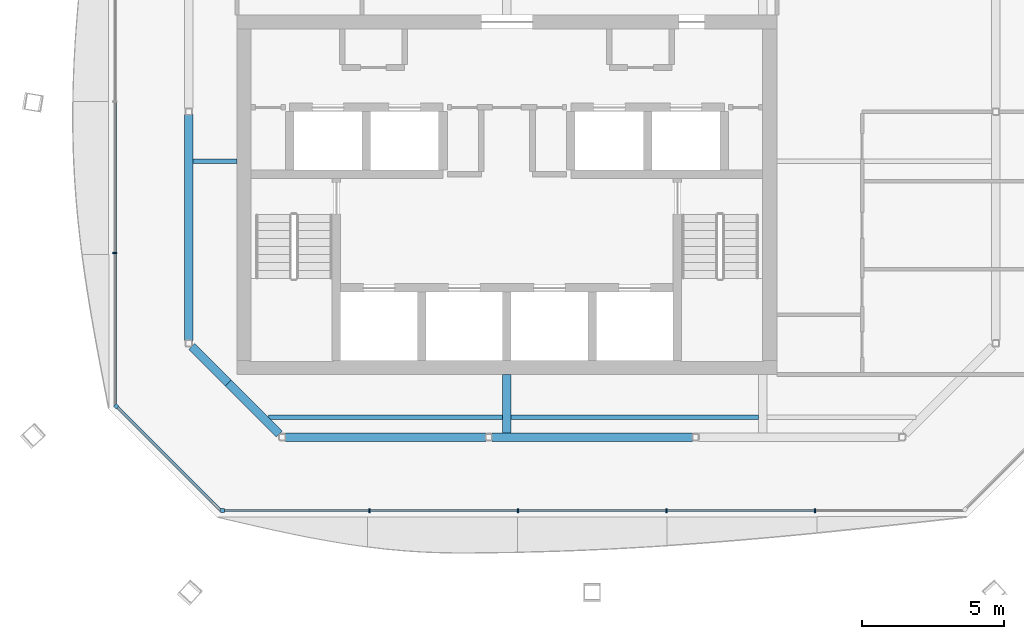
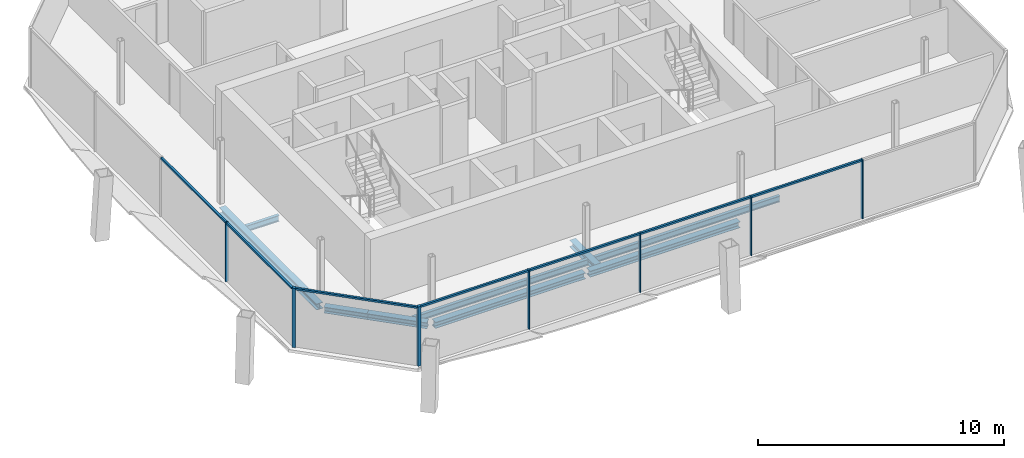
# One storey, part 3 of 16: 14 members, 9 beams, 3 elements without a shape of their own.
"""IFC4 building model written with IfcOpenShell, lengths in metres."""

from ifc_helpers import new_model, si_unit, direction, frame, origin, origin_2d, place, context, subcontext, project, spatial, rectangle, i_section, extrude, material, material_profile, profile_set, type_object, element, aggregate, save


model = new_model("IFC4")

# Units and contexts
model_context = context("Model", 3, precision=1e-05, world=origin(), true_north=direction((0.0, 1.0)))
body_context = subcontext(model_context, "Body", "Model", "MODEL_VIEW")
ifc_project = project(units=[si_unit("LENGTHUNIT", "METRE"), si_unit("AREAUNIT", "SQUARE_METRE"), si_unit("VOLUMEUNIT", "CUBIC_METRE"), si_unit("PLANEANGLEUNIT", "RADIAN"), si_unit("MASSUNIT", "GRAM", prefix="KILO")], contexts=[model_context])

# Site, building, storey
site_placement = place(None, origin())
site = spatial("IfcSite", under=ifc_project, at=site_placement, CompositionType="ELEMENT")
building_placement = place(site_placement, origin())
building = spatial("IfcBuilding", under=site, at=building_placement, Name="Tskaro Facet Tower", CompositionType="ELEMENT")
storey_placement = place(building_placement, frame((0.0, 0.0, 262.64990234375)))
storey = spatial("IfcBuildingStorey", under=building, at=storey_placement, Name="L69", CompositionType="ELEMENT", Elevation=262.64990234375)

# Curtain wall, member
ifc_material_1 = material(Name="Bronze anodised aluminium 6063-T6", Category="aluminium")
curtain_wall_type = type_object("IfcCurtainWallType", Name="Bronze residence curtain wall (FW3)", PredefinedType="NOTDEFINED", material=ifc_material_1)
curtain_wall_1_placement = place(storey_placement, origin())
curtain_wall_1 = element("IfcCurtainWall", 1, at=curtain_wall_1_placement, inside=storey, type_object=curtain_wall_type, Name="FW3 south facet L69", PredefinedType="NOTDEFINED")
ifc_material_profile_1 = material_profile(ifc_material_1, rectangle(XDim=0.139892578125, YDim=0.139892578125, at=origin_2d()), Name="Corner post 140x140")
ifc_profile_set_1 = profile_set([ifc_material_profile_1], Name="Bronze anodised aluminium 6063-T6")
member_type_1 = type_object("IfcMemberType", Name="FW3 bronze corner post 140x140", PredefinedType="MULLION", material=ifc_profile_set_1)
member_1_placement = place(storey_placement, frame((-10.0, -16.79296875, 0.0), z_axis=(0.0, 0.0, 1.0), x_axis=(1.0, 0.0, 0.0)))
member_1 = element("IfcMember", 2, at=member_1_placement, type_object=member_type_1, Name="FW3 south corner post", PredefinedType="MULLION", context=body_context, shape_type="SweptSolid", body=[
    extrude(rectangle(XDim=0.139892578125, YDim=0.139892578125, at=origin_2d()), origin(), (0.0, 0.0, 1.0), 2.9501953125),
])

curtain_wall_2_placement = place(storey_placement, origin())
curtain_wall_2 = element("IfcCurtainWall", 3, at=curtain_wall_2_placement, inside=storey, type_object=curtain_wall_type, Name="FW3 south-west facet L69", PredefinedType="NOTDEFINED")
member_2_placement = place(storey_placement, frame((-13.743408203125, -13.119384765625, 0.0), z_axis=(0.0, 0.0, 1.0), x_axis=(0.707106781187, -0.707106781187, 0.0)))
member_2 = element("IfcMember", 4, at=member_2_placement, type_object=member_type_1, Name="FW3 south-west corner post", PredefinedType="MULLION", context=body_context, shape_type="SweptSolid", body=[
    extrude(rectangle(XDim=0.139892578125, YDim=0.139892578125, at=origin_2d()), origin(), (0.0, 0.0, 1.0), 2.9501953125),
])

# Member
ifc_material_profile_2 = material_profile(ifc_material_1, rectangle(XDim=0.050048828125, YDim=0.139892578125, at=origin_2d()), Name="Mullion 50x140")
ifc_profile_set_2 = profile_set([ifc_material_profile_2], Name="Bronze anodised aluminium 6063-T6")
member_type_2 = type_object("IfcMemberType", Name="FW3 bronze mullion 50x140", PredefinedType="MULLION", material=ifc_profile_set_2)
member_3_placement = place(storey_placement, frame((-4.842041015625, -16.79296875, 0.0), z_axis=(0.0, 0.0, 1.0), x_axis=(1.0, 0.0, 0.0)))
member_3 = element("IfcMember", 5, at=member_3_placement, type_object=member_type_2, Name="FW3 south mullion 1", PredefinedType="MULLION", context=body_context, shape_type="SweptSolid", body=[
    extrude(rectangle(XDim=0.050048828125, YDim=0.139892578125, at=origin_2d()), origin(), (0.0, 0.0, 1.0), 2.9501953125),
])

member_4_placement = place(storey_placement, frame((0.385986328125, -16.79296875, 0.0), z_axis=(0.0, 0.0, 1.0), x_axis=(1.0, 0.0, 0.0)))
member_4 = element("IfcMember", 6, at=member_4_placement, type_object=member_type_2, Name="FW3 south mullion 2", PredefinedType="MULLION", context=body_context, shape_type="SweptSolid", body=[
    extrude(rectangle(XDim=0.050048828125, YDim=0.139892578125, at=origin_2d()), origin(), (0.0, 0.0, 1.0), 2.9501953125),
])

member_5_placement = place(storey_placement, frame((5.614013671875, -16.79296875, 0.0), z_axis=(0.0, 0.0, 1.0), x_axis=(1.0, 0.0, 0.0)))
member_5 = element("IfcMember", 7, at=member_5_placement, type_object=member_type_2, Name="FW3 south mullion 3", PredefinedType="MULLION", context=body_context, shape_type="SweptSolid", body=[
    extrude(rectangle(XDim=0.050048828125, YDim=0.139892578125, at=origin_2d()), origin(), (0.0, 0.0, 1.0), 2.9501953125),
])

member_6_placement = place(storey_placement, frame((10.842041015625, -16.79296875, 0.0), z_axis=(0.0, 0.0, 1.0), x_axis=(1.0, 0.0, 0.0)))
member_6 = element("IfcMember", 8, at=member_6_placement, type_object=member_type_2, Name="FW3 south mullion 4", PredefinedType="MULLION", context=body_context, shape_type="SweptSolid", body=[
    extrude(rectangle(XDim=0.050048828125, YDim=0.139892578125, at=origin_2d()), origin(), (0.0, 0.0, 1.0), 2.9501953125),
])

# Curtain wall, member
curtain_wall_3_placement = place(storey_placement, origin())
curtain_wall_3 = element("IfcCurtainWall", 9, at=curtain_wall_3_placement, inside=storey, type_object=curtain_wall_type, Name="FW3 west facet L69", PredefinedType="NOTDEFINED")
member_7_placement = place(storey_placement, frame((-13.79296875, -7.730712890625, 0.0), z_axis=(0.0, 0.0, 1.0), x_axis=(0.0, -1.0, 0.0)))
member_7 = element("IfcMember", 10, at=member_7_placement, type_object=member_type_2, Name="FW3 west mullion 3", PredefinedType="MULLION", context=body_context, shape_type="SweptSolid", body=[
    extrude(rectangle(XDim=0.050048828125, YDim=0.139892578125, at=origin_2d()), origin(), (0.0, 0.0, 1.0), 2.9501953125),
])

# Member
ifc_material_profile_3 = material_profile(ifc_material_1, rectangle(XDim=0.10009765625, YDim=0.090087890625, at=origin_2d()), Name="Transom 100x90")
ifc_profile_set_3 = profile_set([ifc_material_profile_3], Name="Bronze anodised aluminium 6063-T6")
member_type_3 = type_object("IfcMemberType", Name="FW3 bronze transom 100x90", PredefinedType="USERDEFINED", material=ifc_profile_set_3)
member_8_placement = place(storey_placement, frame((-9.929931640625, -16.79296875, 2.905029296875), z_axis=(1.0, 0.0, 0.0), x_axis=(0.0, 1.0, 0.0)))
member_8 = element("IfcMember", 11, at=member_8_placement, type_object=member_type_3, Name="FW3 south transom 1.1", ObjectType="TRANSOM", PredefinedType="USERDEFINED", context=body_context, shape_type="SweptSolid", body=[
    extrude(rectangle(XDim=0.10009765625, YDim=0.090087890625, at=origin_2d()), origin(), (0.0, 0.0, 1.0), 5.06298828125),
])

member_9_placement = place(storey_placement, frame((-4.81689453125, -16.79296875, 2.905029296875), z_axis=(1.0, 0.0, 0.0), x_axis=(0.0, 1.0, 0.0)))
member_9 = element("IfcMember", 12, at=member_9_placement, type_object=member_type_3, Name="FW3 south transom 2.1", ObjectType="TRANSOM", PredefinedType="USERDEFINED", context=body_context, shape_type="SweptSolid", body=[
    extrude(rectangle(XDim=0.10009765625, YDim=0.090087890625, at=origin_2d()), origin(), (0.0, 0.0, 1.0), 5.177978515625),
])

member_10_placement = place(storey_placement, frame((0.410888671875, -16.79296875, 2.905029296875), z_axis=(1.0, 0.0, 0.0), x_axis=(0.0, 1.0, 0.0)))
member_10 = element("IfcMember", 13, at=member_10_placement, type_object=member_type_3, Name="FW3 south transom 3.1", ObjectType="TRANSOM", PredefinedType="USERDEFINED", context=body_context, shape_type="SweptSolid", body=[
    extrude(rectangle(XDim=0.10009765625, YDim=0.090087890625, at=origin_2d()), origin(), (0.0, 0.0, 1.0), 5.17822265625),
])

member_11_placement = place(storey_placement, frame((5.638916015625, -16.79296875, 2.905029296875), z_axis=(1.0, 0.0, 0.0), x_axis=(0.0, 1.0, 0.0)))
member_11 = element("IfcMember", 14, at=member_11_placement, type_object=member_type_3, Name="FW3 south transom 4.1", ObjectType="TRANSOM", PredefinedType="USERDEFINED", context=body_context, shape_type="SweptSolid", body=[
    extrude(rectangle(XDim=0.10009765625, YDim=0.090087890625, at=origin_2d()), origin(), (0.0, 0.0, 1.0), 5.177978515625),
])

aggregate(curtain_wall_1, [member_1, member_3, member_4, member_5, member_6, member_8, member_9, member_10, member_11])

member_12_placement = place(storey_placement, frame((-13.79296875, -2.41650390625, 2.905029296875), z_axis=(0.0, -1.0, 0.0), x_axis=(1.0, 0.0, 0.0)))
member_12 = element("IfcMember", 15, at=member_12_placement, type_object=member_type_3, Name="FW3 west transom 3.1", ObjectType="TRANSOM", PredefinedType="USERDEFINED", context=body_context, shape_type="SweptSolid", body=[
    extrude(rectangle(XDim=0.10009765625, YDim=0.090087890625, at=origin_2d()), origin(), (0.0, 0.0, 1.0), 5.289306640625),
])

member_13_placement = place(storey_placement, frame((-13.79296875, -7.755859375, 2.905029296875), z_axis=(0.0, -1.0, 0.0), x_axis=(1.0, 0.0, 0.0)))
member_13 = element("IfcMember", 16, at=member_13_placement, type_object=member_type_3, Name="FW3 west transom 4.1", ObjectType="TRANSOM", PredefinedType="USERDEFINED", context=body_context, shape_type="SweptSolid", body=[
    extrude(rectangle(XDim=0.10009765625, YDim=0.090087890625, at=origin_2d()), origin(), (0.0, 0.0, 1.0), 5.314208984375),
])

aggregate(curtain_wall_3, [member_7, member_12, member_13])

member_14_placement = place(storey_placement, frame((-13.694091796875, -13.1689453125, 2.905029296875), z_axis=(0.707106781187, -0.707106781187, 0.0), x_axis=(0.707106781187, 0.707106781187, 0.0)))
member_14 = element("IfcMember", 17, at=member_14_placement, type_object=member_type_3, Name="FW3 south-west transom 1.1", ObjectType="TRANSOM", PredefinedType="USERDEFINED", context=body_context, shape_type="SweptSolid", body=[
    extrude(rectangle(XDim=0.10009765625, YDim=0.090087890625, at=origin_2d()), origin(), (0.0, 0.0, 1.0), 5.125244140625),
])

aggregate(curtain_wall_2, [member_2, member_14])

# Beams
ifc_material_2 = material(Name="Steel S355J2", Category="steel")
ifc_material_profile_4 = material_profile(ifc_material_2, i_section(OverallWidth=0.300048828125, OverallDepth=0.300048828125, WebThickness=0.010986328125, FlangeThickness=0.01904296875, FilletRadius=0.027099609375, at=origin_2d()), Name="HE 300 B")
ifc_profile_set_4 = profile_set([ifc_material_profile_4], Name="Steel S355J2")
beam_type_1 = type_object("IfcBeamType", Name="HE 300 B ring beam", PredefinedType="BEAM", material=ifc_profile_set_4)
beam_1_placement = place(storey_placement, frame((-7.798095703125, -14.199951171875, -0.289794921875), z_axis=(1.0, 0.0, 0.0), x_axis=(0.0, 1.0, 0.0)))
element("IfcBeam", 18, at=beam_1_placement, inside=storey, type_object=beam_type_1, Name="HE 300 B EB1-6", PredefinedType="BEAM", context=body_context, shape_type="SweptSolid", body=[
    extrude(i_section(OverallWidth=0.300048828125, OverallDepth=0.300048828125, WebThickness=0.010986328125, FlangeThickness=0.01904296875, FilletRadius=0.027099609375, at=origin_2d()), origin(), (0.0, 0.0, 1.0), 7.05908203125),
])
beam_2_placement = place(storey_placement, frame((-0.529052734375, -14.199951171875, -0.289794921875), z_axis=(1.0, 0.0, 0.0), x_axis=(0.0, 1.0, 0.0)))
element("IfcBeam", 19, at=beam_2_placement, inside=storey, type_object=beam_type_1, Name="HE 300 B EB2-6", PredefinedType="BEAM", context=body_context, shape_type="SweptSolid", body=[
    extrude(i_section(OverallWidth=0.300048828125, OverallDepth=0.300048828125, WebThickness=0.010986328125, FlangeThickness=0.01904296875, FilletRadius=0.027099609375, at=origin_2d()), origin(), (0.0, 0.0, 1.0), 7.05810546875),
])
beam_3_placement = place(storey_placement, frame((-11.199951171875, -2.85498046875, -0.289794921875), z_axis=(0.0, -1.0, 0.0), x_axis=(1.0, 0.0, 0.0)))
element("IfcBeam", 20, at=beam_3_placement, inside=storey, type_object=beam_type_1, Name="HE 300 B EB14-6", PredefinedType="BEAM", context=body_context, shape_type="SweptSolid", body=[
    extrude(i_section(OverallWidth=0.300048828125, OverallDepth=0.300048828125, WebThickness=0.010986328125, FlangeThickness=0.01904296875, FilletRadius=0.027099609375, at=origin_2d()), origin(), (0.0, 0.0, 1.0), 7.943115234375),
])
beam_4_placement = place(storey_placement, frame((-11.089111328125, -11.013916015625, -0.289794921875), z_axis=(0.707106781187, -0.707106781187, 0.0), x_axis=(0.707106781187, 0.707106781187, 0.0)))
element("IfcBeam", 21, at=beam_4_placement, inside=storey, type_object=beam_type_1, Name="HE 300 B EB15a-6", PredefinedType="BEAM", context=body_context, shape_type="SweptSolid", body=[
    extrude(i_section(OverallWidth=0.300048828125, OverallDepth=0.300048828125, WebThickness=0.010986328125, FlangeThickness=0.01904296875, FilletRadius=0.027099609375, at=origin_2d()), origin(), (0.0, 0.0, 1.0), 1.821044921875),
])
beam_5_placement = place(storey_placement, frame((-9.801513671875, -12.301513671875, -0.289794921875), z_axis=(0.707106781187, -0.707106781187, 0.0), x_axis=(0.707106781187, 0.707106781187, 0.0)))
element("IfcBeam", 22, at=beam_5_placement, inside=storey, type_object=beam_type_1, Name="HE 300 B EB15b-6", PredefinedType="BEAM", context=body_context, shape_type="SweptSolid", body=[
    extrude(i_section(OverallWidth=0.300048828125, OverallDepth=0.300048828125, WebThickness=0.010986328125, FlangeThickness=0.01904296875, FilletRadius=0.027099609375, at=origin_2d()), origin(), (0.0, 0.0, 1.0), 2.528076171875),
])
ifc_material_profile_5 = material_profile(ifc_material_2, i_section(OverallWidth=0.300048828125, OverallDepth=0.330078125, WebThickness=0.009521484375, FlangeThickness=0.0166015625, FilletRadius=0.027099609375, at=origin_2d()), Name="HE 340 A")
ifc_profile_set_5 = profile_set([ifc_material_profile_5], Name="Steel S355J2")
beam_type_2 = type_object("IfcBeamType", Name="HE 340 A girder", PredefinedType="BEAM", material=ifc_profile_set_5)
beam_6_placement = place(storey_placement, frame((0.0, -14.050048828125, -0.304931640625), z_axis=(0.0, 1.0, 0.0), x_axis=(-1.0, 0.0, 0.0)))
element("IfcBeam", 23, at=beam_6_placement, inside=storey, type_object=beam_type_2, Name="HE 340 A GB4-1-6", PredefinedType="BEAM", context=body_context, shape_type="SweptSolid", body=[
    extrude(i_section(OverallWidth=0.300048828125, OverallDepth=0.330078125, WebThickness=0.009521484375, FlangeThickness=0.0166015625, FilletRadius=0.027099609375, at=origin_2d()), origin(), (0.0, 0.0, 1.0), 2.050048828125),
])
ifc_material_profile_6 = material_profile(ifc_material_2, i_section(OverallWidth=0.14990234375, OverallDepth=0.300048828125, WebThickness=0.007080078125, FlangeThickness=0.0107421875, FilletRadius=0.014892578125, at=origin_2d()), Name="IPE 300")
ifc_profile_set_6 = profile_set([ifc_material_profile_6], Name="Steel S355J2")
beam_type_3 = type_object("IfcBeamType", Name="IPE 300 secondary beam", PredefinedType="BEAM", material=ifc_profile_set_6)
beam_7_placement = place(storey_placement, frame((-8.39111328125, -13.5, -0.289794921875), z_axis=(1.0, 0.0, 0.0), x_axis=(0.0, 1.0, 0.0)))
element("IfcBeam", 24, at=beam_7_placement, inside=storey, type_object=beam_type_3, Name="IPE 300 SB2a-1-6", PredefinedType="BEAM", context=body_context, shape_type="SweptSolid", body=[
    extrude(i_section(OverallWidth=0.14990234375, OverallDepth=0.300048828125, WebThickness=0.007080078125, FlangeThickness=0.0107421875, FilletRadius=0.014892578125, at=origin_2d()), origin(), (0.0, 0.0, 1.0), 8.2412109375),
])
beam_8_placement = place(storey_placement, frame((0.14990234375, -13.5, -0.289794921875), z_axis=(1.0, 0.0, 0.0), x_axis=(0.0, 1.0, 0.0)))
element("IfcBeam", 25, at=beam_8_placement, inside=storey, type_object=beam_type_3, Name="IPE 300 SB2a-2-6", PredefinedType="BEAM", context=body_context, shape_type="SweptSolid", body=[
    extrude(i_section(OverallWidth=0.14990234375, OverallDepth=0.300048828125, WebThickness=0.007080078125, FlangeThickness=0.0107421875, FilletRadius=0.014892578125, at=origin_2d()), origin(), (0.0, 0.0, 1.0), 8.7001953125),
])
beam_9_placement = place(storey_placement, frame((-11.050048828125, -4.5, -0.289794921875), z_axis=(1.0, 0.0, 0.0), x_axis=(0.0, 1.0, 0.0)))
element("IfcBeam", 26, at=beam_9_placement, inside=storey, type_object=beam_type_3, Name="IPE 300 SB3a-1-6", PredefinedType="BEAM", context=body_context, shape_type="SweptSolid", body=[
    extrude(i_section(OverallWidth=0.14990234375, OverallDepth=0.300048828125, WebThickness=0.007080078125, FlangeThickness=0.0107421875, FilletRadius=0.014892578125, at=origin_2d()), origin(), (0.0, 0.0, 1.0), 1.550048828125),
])

save(model, "model.ifc")
